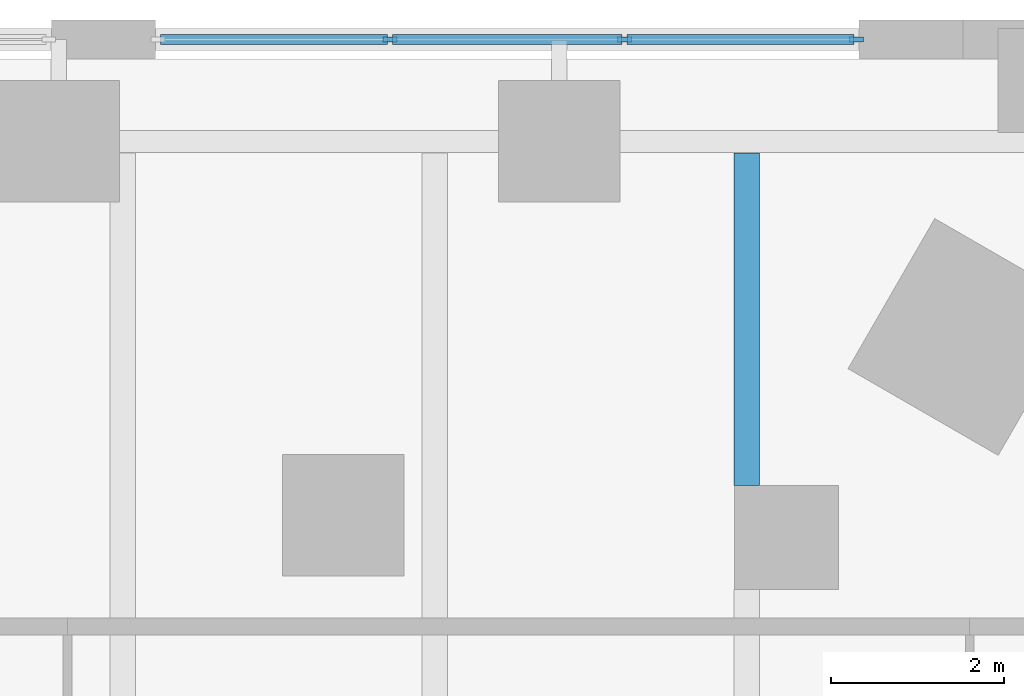
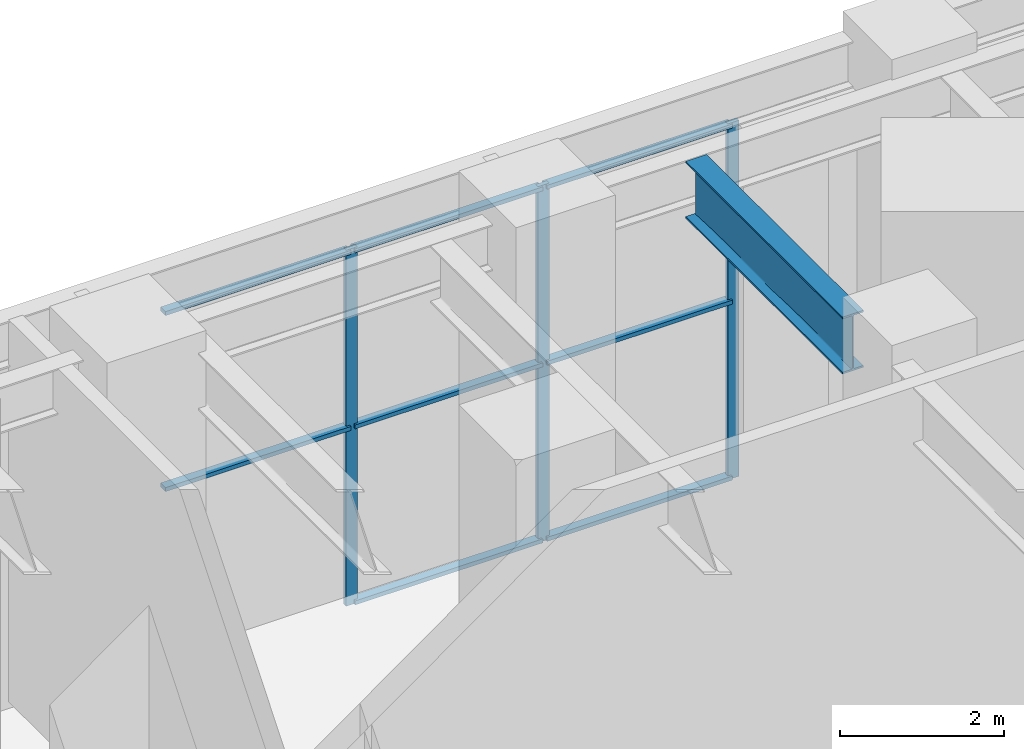
# One storey, part 16 of 37: 11 members, 1 beam, 1 element without a shape of its own.
"""IFC4 building model written with IfcOpenShell, lengths in metres."""

from ifc_helpers import new_model, si_unit, direction, frame, origin, origin_2d, place, context, subcontext, project, spatial, rectangle, i_section, extrude, material, material_profile, profile_set, type_object, element, aggregate, save


model = new_model("IFC4")

# Units and contexts
model_context = context("Model", 3, precision=1e-05, world=origin(), true_north=direction((0.0, 1.0)))
body_context = subcontext(model_context, "Body", "Model", "MODEL_VIEW")
ifc_project = project(units=[si_unit("LENGTHUNIT", "METRE"), si_unit("AREAUNIT", "SQUARE_METRE"), si_unit("VOLUMEUNIT", "CUBIC_METRE"), si_unit("PLANEANGLEUNIT", "RADIAN"), si_unit("MASSUNIT", "GRAM", prefix="KILO")], contexts=[model_context])

# Site, building, storey
site_placement = place(None, origin())
site = spatial("IfcSite", under=ifc_project, at=site_placement, CompositionType="ELEMENT")
building_placement = place(site_placement, origin())
building = spatial("IfcBuilding", under=site, at=building_placement, Name="Aloe Facet Convention Tower", CompositionType="ELEMENT")
storey_placement = place(building_placement, frame((0.0, 0.0, 7.5)))
storey = spatial("IfcBuildingStorey", under=building, at=storey_placement, Name="L01", CompositionType="ELEMENT", Elevation=7.5)

# Curtain wall, members
ifc_material_1 = material(Name="Aluminium, anodised", Category="aluminium")
curtain_wall_type = type_object("IfcCurtainWallType", Name="EV-CW-SHOP", PredefinedType="USERDEFINED", material=ifc_material_1)
curtain_wall_placement = place(storey_placement, origin())
curtain_wall = element("IfcCurtainWall", 1, at=curtain_wall_placement, inside=storey, type_object=curtain_wall_type, Name="CW-L01-N18", ObjectType="STICK SHOPFRONT GLAZING", PredefinedType="USERDEFINED")
ifc_material_2 = material(Name="Aluminium, anodised", Category="aluminium")
ifc_material_profile_1 = material_profile(ifc_material_2, rectangle(XDim=0.06005859375, YDim=0.159912109375, at=origin_2d()), Name="AL 60x160")
ifc_profile_set_1 = profile_set([ifc_material_profile_1], Name="Aluminium, anodised")
member_type_1 = type_object("IfcMemberType", Name="EV-MULL-SHOP", PredefinedType="MULLION", material=ifc_profile_set_1)
member_1_placement = place(storey_placement, frame((56.066650390625, 134.77490234375, -0.300048828125), z_axis=(0.0, 0.0, 1.0), x_axis=(0.0, -1.0, 0.0)))
member_1 = element("IfcMember", 2, at=member_1_placement, type_object=member_type_1, Name="CW-L01-N18 mullion 1", PredefinedType="MULLION", context=body_context, shape_type="SweptSolid", body=[
    extrude(rectangle(XDim=0.06005859375, YDim=0.159912109375, at=origin_2d()), origin(), (0.0, 0.0, 1.0), 5.3125),
])
member_2_placement = place(storey_placement, frame((53.389404296875, 134.77490234375, -0.300048828125), z_axis=(0.0, 0.0, 1.0), x_axis=(0.0, -1.0, 0.0)))
member_2 = element("IfcMember", 3, at=member_2_placement, type_object=member_type_1, Name="CW-L01-N18 mullion 2", PredefinedType="MULLION", context=body_context, shape_type="SweptSolid", body=[
    extrude(rectangle(XDim=0.06005859375, YDim=0.159912109375, at=origin_2d()), origin(), (0.0, 0.0, 1.0), 5.3125),
])
member_3_placement = place(storey_placement, frame((50.682373046875, 134.77490234375, -0.300048828125), z_axis=(0.0, 0.0, 1.0), x_axis=(0.0, -1.0, 0.0)))
member_3 = element("IfcMember", 4, at=member_3_placement, type_object=member_type_1, Name="CW-L01-N18 mullion 3", PredefinedType="MULLION", context=body_context, shape_type="SweptSolid", body=[
    extrude(rectangle(XDim=0.06005859375, YDim=0.159912109375, at=origin_2d()), origin(), (0.0, 0.0, 1.0), 5.3125),
])
ifc_material_3 = material(Name="Aluminium, anodised", Category="aluminium")
ifc_material_profile_2 = material_profile(ifc_material_3, rectangle(XDim=0.1201171875, YDim=0.06005859375, at=origin_2d()), Name="AL 120x60")
ifc_profile_set_2 = profile_set([ifc_material_profile_2], Name="Aluminium, anodised")
member_type_2 = type_object("IfcMemberType", Name="EV-TRAN-SHOP", PredefinedType="USERDEFINED", material=ifc_profile_set_2)
member_4_placement = place(storey_placement, frame((56.03662109375, 134.77490234375, -0.27001953125), z_axis=(-1.0, 0.0, 0.0), x_axis=(0.0, -1.0, 0.0)))
member_4 = element("IfcMember", 5, at=member_4_placement, type_object=member_type_2, Name="CW-L01-N18 transom 1.1", ObjectType="TRANSOM", PredefinedType="USERDEFINED", context=body_context, shape_type="SweptSolid", body=[
    extrude(rectangle(XDim=0.1201171875, YDim=0.06005859375, at=origin_2d()), origin(), (0.0, 0.0, 1.0), 2.6171875),
])
member_5_placement = place(storey_placement, frame((56.03662109375, 134.77490234375, 2.356201171875), z_axis=(-1.0, 0.0, 0.0), x_axis=(0.0, -1.0, 0.0)))
member_5 = element("IfcMember", 6, at=member_5_placement, type_object=member_type_2, Name="CW-L01-N18 transom 1.2", ObjectType="TRANSOM", PredefinedType="USERDEFINED", context=body_context, shape_type="SweptSolid", body=[
    extrude(rectangle(XDim=0.1201171875, YDim=0.06005859375, at=origin_2d()), origin(), (0.0, 0.0, 1.0), 2.6171875),
])
member_6_placement = place(storey_placement, frame((56.03662109375, 134.77490234375, 4.982421875), z_axis=(-1.0, 0.0, 0.0), x_axis=(0.0, -1.0, 0.0)))
member_6 = element("IfcMember", 7, at=member_6_placement, type_object=member_type_2, Name="CW-L01-N18 transom 1.3", ObjectType="TRANSOM", PredefinedType="USERDEFINED", context=body_context, shape_type="SweptSolid", body=[
    extrude(rectangle(XDim=0.1201171875, YDim=0.06005859375, at=origin_2d()), origin(), (0.0, 0.0, 1.0), 2.6171875),
])
member_7_placement = place(storey_placement, frame((53.359375, 134.77490234375, -0.27001953125), z_axis=(-1.0, 0.0, 0.0), x_axis=(0.0, -1.0, 0.0)))
member_7 = element("IfcMember", 8, at=member_7_placement, type_object=member_type_2, Name="CW-L01-N18 transom 2.1", ObjectType="TRANSOM", PredefinedType="USERDEFINED", context=body_context, shape_type="SweptSolid", body=[
    extrude(rectangle(XDim=0.1201171875, YDim=0.06005859375, at=origin_2d()), origin(), (0.0, 0.0, 1.0), 2.64697265625),
])
member_8_placement = place(storey_placement, frame((53.359375, 134.77490234375, 2.356201171875), z_axis=(-1.0, 0.0, 0.0), x_axis=(0.0, -1.0, 0.0)))
member_8 = element("IfcMember", 9, at=member_8_placement, type_object=member_type_2, Name="CW-L01-N18 transom 2.2", ObjectType="TRANSOM", PredefinedType="USERDEFINED", context=body_context, shape_type="SweptSolid", body=[
    extrude(rectangle(XDim=0.1201171875, YDim=0.06005859375, at=origin_2d()), origin(), (0.0, 0.0, 1.0), 2.64697265625),
])
member_9_placement = place(storey_placement, frame((53.359375, 134.77490234375, 4.982421875), z_axis=(-1.0, 0.0, 0.0), x_axis=(0.0, -1.0, 0.0)))
member_9 = element("IfcMember", 10, at=member_9_placement, type_object=member_type_2, Name="CW-L01-N18 transom 2.3", ObjectType="TRANSOM", PredefinedType="USERDEFINED", context=body_context, shape_type="SweptSolid", body=[
    extrude(rectangle(XDim=0.1201171875, YDim=0.06005859375, at=origin_2d()), origin(), (0.0, 0.0, 1.0), 2.64697265625),
])
member_10_placement = place(storey_placement, frame((50.65234375, 134.77490234375, 2.356201171875), z_axis=(-1.0, 0.0, 0.0), x_axis=(0.0, -1.0, 0.0)))
member_10 = element("IfcMember", 11, at=member_10_placement, type_object=member_type_2, Name="CW-L01-N18 transom 3.2", ObjectType="TRANSOM", PredefinedType="USERDEFINED", context=body_context, shape_type="SweptSolid", body=[
    extrude(rectangle(XDim=0.1201171875, YDim=0.06005859375, at=origin_2d()), origin(), (0.0, 0.0, 1.0), 2.6171875),
])
member_11_placement = place(storey_placement, frame((50.65234375, 134.77490234375, 4.982421875), z_axis=(-1.0, 0.0, 0.0), x_axis=(0.0, -1.0, 0.0)))
member_11 = element("IfcMember", 12, at=member_11_placement, type_object=member_type_2, Name="CW-L01-N18 transom 3.3", ObjectType="TRANSOM", PredefinedType="USERDEFINED", context=body_context, shape_type="SweptSolid", body=[
    extrude(rectangle(XDim=0.1201171875, YDim=0.06005859375, at=origin_2d()), origin(), (0.0, 0.0, 1.0), 2.6171875),
])
aggregate(curtain_wall, [member_1, member_2, member_3, member_4, member_5, member_6, member_7, member_8, member_9, member_10, member_11])

# Beam
ifc_material_4 = material(Name="Steel S355", Category="steel")
ifc_material_profile_3 = material_profile(ifc_material_4, i_section(OverallWidth=0.293701171875, OverallDepth=0.850830078125, WebThickness=0.01611328125, FlangeThickness=0.02685546875, FilletRadius=0.017822265625, at=origin_2d()), Name="UB 838x292x226")
ifc_profile_set_3 = profile_set([ifc_material_profile_3], Name="Steel S355")
beam_type = type_object("IfcBeamType", Name="SF-B-UB838x292x226", PredefinedType="BEAM", material=ifc_profile_set_3)
beam_placement = place(storey_placement, frame((54.800048828125, 129.6279296875, 5.2744140625), z_axis=(0.0, 1.0, 0.0), x_axis=(-1.0, 0.0, 0.0)))
element("IfcBeam", 13, at=beam_placement, inside=storey, type_object=beam_type, Name="Floor beam FB-L02-072", PredefinedType="BEAM", context=body_context, shape_type="SweptSolid", body=[
    extrude(i_section(OverallWidth=0.293701171875, OverallDepth=0.850830078125, WebThickness=0.01611328125, FlangeThickness=0.02685546875, FilletRadius=0.017822265625, at=origin_2d()), origin(), (0.0, 0.0, 1.0), 3.834716796875),
])

save(model, "model.ifc")
